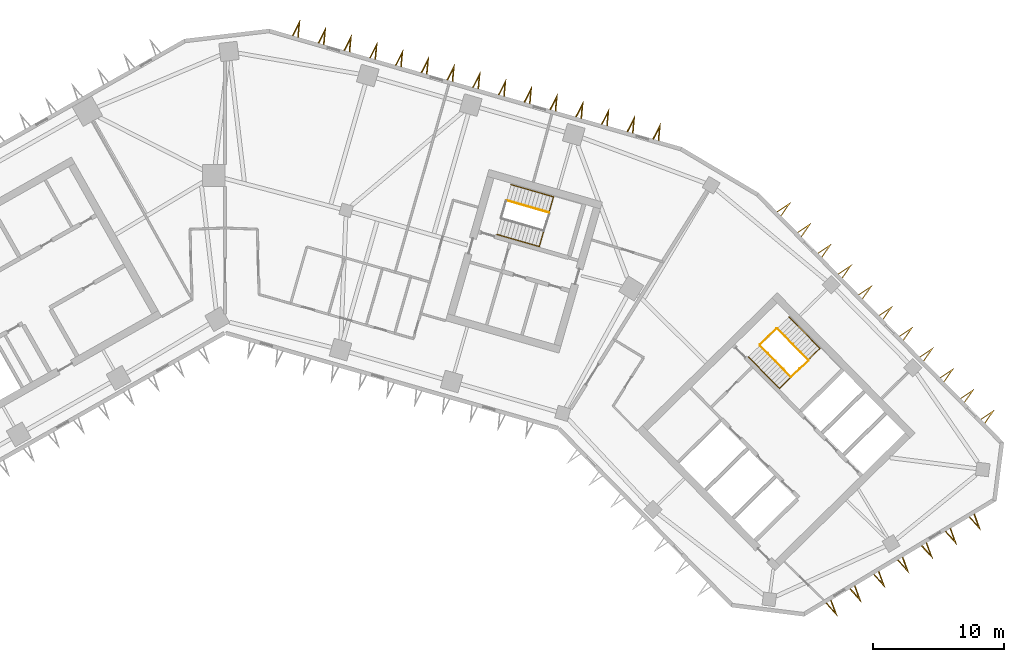
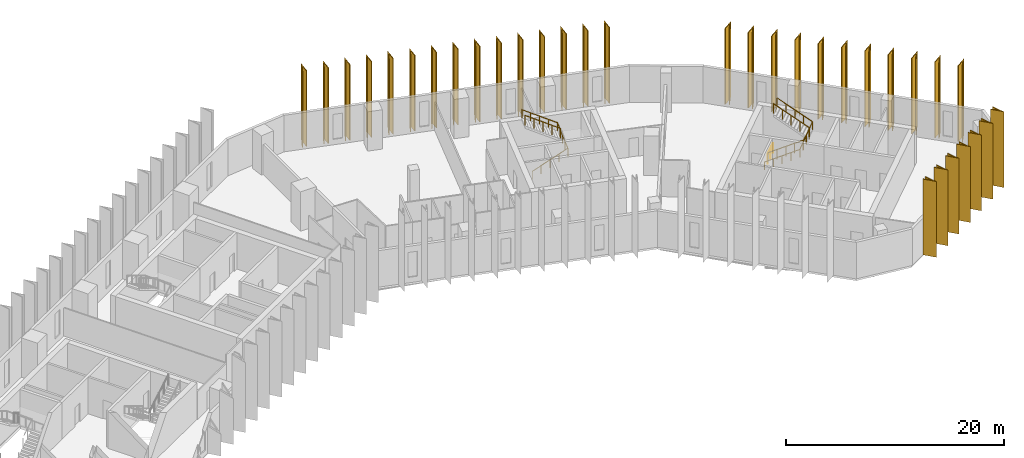
# One storey, part 11 of 11: 33 shading devices, 6 railings.
"""IFC4 building model written with IfcOpenShell, lengths in metres."""

from ifc_helpers import new_model, si_unit, direction, frame, origin, origin_2d, place, context, subcontext, project, spatial, polyline, circle, outline, extrude, material, type_object, element, save


model = new_model("IFC4")

# Units and contexts
model_context = context("Model", 3, precision=1e-05, world=origin(), true_north=direction((0.0, 1.0)))
body_context = subcontext(model_context, "Body", "Model", "MODEL_VIEW")
ifc_project = project(units=[si_unit("LENGTHUNIT", "METRE"), si_unit("AREAUNIT", "SQUARE_METRE"), si_unit("VOLUMEUNIT", "CUBIC_METRE"), si_unit("PLANEANGLEUNIT", "RADIAN"), si_unit("MASSUNIT", "GRAM", prefix="KILO")], contexts=[model_context])

# Site, building, storey
site_placement = place(None, origin())
site = spatial("IfcSite", under=ifc_project, at=site_placement, CompositionType="ELEMENT")
building_placement = place(site_placement, origin())
building = spatial("IfcBuilding", under=site, at=building_placement, Name="Binnacle Exchange Tower", CompositionType="ELEMENT")
storey_placement = place(building_placement, frame((0.0, 0.0, 105.89990234375)))
storey = spatial("IfcBuildingStorey", under=building, at=storey_placement, Name="L21", CompositionType="ELEMENT", Elevation=105.89990234375)

# Railings
ifc_material_1 = material(Name="Steel guard rail", Category="steel")
railing_type_1 = type_object("IfcRailingType", Name="STAIR GUARD 1100", PredefinedType="GUARDRAIL", material=ifc_material_1)
railing_1_placement = place(storey_placement, frame((40.822509765625, 47.046875, 0.16943359375)))
element("IfcRailing", 1, at=railing_1_placement, inside=storey, type_object=railing_type_1, Name="L21 STB1 stair guard 1", PredefinedType="GUARDRAIL", context=body_context, shape_type="SweptSolid", body=[
    extrude(circle(Radius=0.02392578125, at=origin_2d()), frame((0.0, 0.0, 1.076171875), z_axis=(0.599850224077, -0.610421915772, 0.51726665601), x_axis=(0.713256128111, 0.700903485305, 0.0)), (0.0, 0.0, 1.0), 3.926025390625),
    extrude(circle(Radius=0.02392578125, at=origin_2d()), frame((2.35498046875, -2.396484375, 3.10693359375), z_axis=(0.732527851538, 0.680737061369, 0.0), x_axis=(-0.680737061369, 0.732527851538, 0.0)), (0.0, 0.0, 1.0), 1.80078125),
    extrude(circle(Radius=0.02099609375, at=origin_2d()), origin(), (0.0, 0.0, 1.0), 1.052001953125),
    extrude(circle(Radius=0.02099609375, at=origin_2d()), frame((0.5888671875, -0.59912109375, 0.5078125)), (0.0, 0.0, 1.0), 1.052001953125),
    extrude(circle(Radius=0.02099609375, at=origin_2d()), frame((1.177490234375, -1.1982421875, 1.015380859375)), (0.0, 0.0, 1.0), 1.052001953125),
    extrude(circle(Radius=0.02099609375, at=origin_2d()), frame((1.76611328125, -1.79736328125, 1.52294921875)), (0.0, 0.0, 1.0), 1.052001953125),
    extrude(circle(Radius=0.02099609375, at=origin_2d()), frame((2.35498046875, -2.396484375, 2.03076171875)), (0.0, 0.0, 1.0), 1.052001953125),
    extrude(circle(Radius=0.02099609375, at=origin_2d()), frame((3.0146484375, -1.78369140625, 2.03076171875)), (0.0, 0.0, 1.0), 1.052001953125),
    extrude(circle(Radius=0.02099609375, at=origin_2d()), frame((3.674072265625, -1.170654296875, 2.03076171875)), (0.0, 0.0, 1.0), 1.052001953125),
])
railing_2_placement = place(storey_placement, frame((44.4970703125, 45.947021484375, 2.369384765625)))
element("IfcRailing", 2, at=railing_2_placement, inside=storey, type_object=railing_type_1, Name="L21 STB1 stair guard 2", PredefinedType="GUARDRAIL", context=body_context, shape_type="SweptSolid", body=[
    extrude(circle(Radius=0.02392578125, at=origin_2d()), frame((0.0, 0.0, 1.076171875), z_axis=(-0.599850224077, 0.610421915772, 0.51726665601), x_axis=(-0.713256128111, -0.700903485305, 0.0)), (0.0, 0.0, 1.0), 3.926025390625),
    extrude(circle(Radius=0.02099609375, at=origin_2d()), origin(), (0.0, 0.0, 1.0), 1.052001953125),
    extrude(circle(Radius=0.02099609375, at=origin_2d()), frame((-0.5888671875, 0.59912109375, 0.5078125)), (0.0, 0.0, 1.0), 1.052001953125),
    extrude(circle(Radius=0.02099609375, at=origin_2d()), frame((-1.177490234375, 1.1982421875, 1.015380859375)), (0.0, 0.0, 1.0), 1.052001953125),
    extrude(circle(Radius=0.02099609375, at=origin_2d()), frame((-1.76611328125, 1.79736328125, 1.52294921875)), (0.0, 0.0, 1.0), 1.052001953125),
    extrude(circle(Radius=0.02099609375, at=origin_2d()), frame((-2.35498046875, 2.396484375, 2.03076171875)), (0.0, 0.0, 1.0), 1.052001953125),
])
railing_3_placement = place(storey_placement, frame((40.8232421875, 47.117431640625, 0.0)))
element("IfcRailing", 3, at=railing_3_placement, inside=storey, type_object=railing_type_1, Name="L21 STB1 stair guard 3", PredefinedType="GUARDRAIL", context=body_context, shape_type="SweptSolid", body=[
    extrude(circle(Radius=0.02392578125, at=origin_2d()), frame((0.0, 0.0, 1.076171875), z_axis=(0.713218950569, 0.700941316052, 0.0), x_axis=(-0.700941316052, 0.713218950569, 0.0)), (0.0, 0.0, 1.0), 1.75),
    extrude(circle(Radius=0.02099609375, at=origin_2d()), origin(), (0.0, 0.0, 1.0), 1.052001953125),
    extrude(circle(Radius=0.02099609375, at=origin_2d()), frame((0.6240234375, 0.61328125, 0.0)), (0.0, 0.0, 1.0), 1.052001953125),
    extrude(circle(Radius=0.02099609375, at=origin_2d()), frame((1.248046875, 1.2265625, 0.0)), (0.0, 0.0, 1.0), 1.052001953125),
])
railing_4_placement = place(storey_placement, frame((24.716064453125, 57.177978515625, 2.369384765625)))
element("IfcRailing", 4, at=railing_4_placement, inside=storey, type_object=railing_type_1, Name="L21 STD1 stair guard 2", PredefinedType="GUARDRAIL", context=body_context, shape_type="SweptSolid", body=[
    extrude(circle(Radius=0.02392578125, at=origin_2d()), frame((0.0, 0.0, 1.076171875), z_axis=(-0.82266146106, 0.235934506256, 0.517264950721), x_axis=(-0.27568068152, -0.961249271436, 0.0)), (0.0, 0.0, 1.0), 3.926025390625),
    extrude(circle(Radius=0.02099609375, at=origin_2d()), origin(), (0.0, 0.0, 1.0), 1.052001953125),
    extrude(circle(Radius=0.02099609375, at=origin_2d()), frame((-0.807373046875, 0.2314453125, 0.5078125)), (0.0, 0.0, 1.0), 1.052001953125),
    extrude(circle(Radius=0.02099609375, at=origin_2d()), frame((-1.61474609375, 0.463134765625, 1.015380859375)), (0.0, 0.0, 1.0), 1.052001953125),
    extrude(circle(Radius=0.02099609375, at=origin_2d()), frame((-2.42236328125, 0.69482421875, 1.52294921875)), (0.0, 0.0, 1.0), 1.052001953125),
    extrude(circle(Radius=0.02099609375, at=origin_2d()), frame((-3.229736328125, 0.92626953125, 2.03076171875)), (0.0, 0.0, 1.0), 1.052001953125),
])
ifc_material_2 = material(Name="Steel handrail", Category="steel")
railing_type_2 = type_object("IfcRailingType", Name="STAIR HANDRAIL 900", PredefinedType="HANDRAIL", material=ifc_material_2)
railing_5_placement = place(storey_placement, frame((39.930908203125, 46.170654296875, 0.16943359375)))
element("IfcRailing", 5, at=railing_5_placement, inside=storey, type_object=railing_type_2, Name="L21 STB1 stair handrail 1", PredefinedType="HANDRAIL", context=body_context, shape_type="SweptSolid", body=[
    extrude(circle(Radius=0.02392578125, at=origin_2d()), frame((0.0, 0.0, 0.8759765625), z_axis=(0.599890032335, -0.610399145579, 0.51724736073), x_axis=(0.713219803244, 0.700940448441, 0.0)), (0.0, 0.0, 1.0), 3.926025390625),
    extrude(circle(Radius=0.02392578125, at=origin_2d()), frame((2.355224609375, -2.396484375, 2.90673828125), z_axis=(0.712714810107, 0.700376341566, 0.038866175905), x_axis=(-0.700905928746, 0.713253726978, 0.0)), (0.0, 0.0, 1.0), 4.35302734375),
    extrude(circle(Radius=0.02392578125, at=origin_2d()), frame((5.457763671875, 0.65234375, 3.07568359375), z_axis=(-0.599827453926, 0.610460928384, 0.517247020709), x_axis=(-0.713291821981, -0.70086716052, 0.0)), (0.0, 0.0, 1.0), 3.926025390625),
    extrude(circle(Radius=0.02099609375, at=origin_2d()), origin(), (0.0, 0.0, 1.0), 0.851806640625),
    extrude(circle(Radius=0.02099609375, at=origin_2d()), frame((0.5888671875, -0.59912109375, 0.5078125)), (0.0, 0.0, 1.0), 0.851806640625),
    extrude(circle(Radius=0.02099609375, at=origin_2d()), frame((1.177734375, -1.1982421875, 1.015380859375)), (0.0, 0.0, 1.0), 0.851806640625),
    extrude(circle(Radius=0.02099609375, at=origin_2d()), frame((1.766357421875, -1.79736328125, 1.52294921875)), (0.0, 0.0, 1.0), 0.851806640625),
    extrude(circle(Radius=0.02099609375, at=origin_2d()), frame((2.355224609375, -2.396484375, 2.03076171875)), (0.0, 0.0, 1.0), 0.851806640625),
    extrude(circle(Radius=0.02099609375, at=origin_2d()), frame((3.130859375, -1.63427734375, 2.072998046875)), (0.0, 0.0, 1.0), 0.851806640625),
    extrude(circle(Radius=0.02099609375, at=origin_2d()), frame((3.906494140625, -0.8720703125, 2.115234375)), (0.0, 0.0, 1.0), 0.851806640625),
    extrude(circle(Radius=0.02099609375, at=origin_2d()), frame((4.68212890625, -0.10986328125, 2.15771484375)), (0.0, 0.0, 1.0), 0.851806640625),
    extrude(circle(Radius=0.02099609375, at=origin_2d()), frame((5.457763671875, 0.65234375, 2.199951171875)), (0.0, 0.0, 1.0), 0.851806640625),
    extrude(circle(Radius=0.02099609375, at=origin_2d()), frame((4.869140625, 1.25146484375, 2.70751953125)), (0.0, 0.0, 1.0), 0.851806640625),
    extrude(circle(Radius=0.02099609375, at=origin_2d()), frame((4.2802734375, 1.8505859375, 3.21533203125)), (0.0, 0.0, 1.0), 0.851806640625),
    extrude(circle(Radius=0.02099609375, at=origin_2d()), frame((3.69140625, 2.449951171875, 3.72314453125)), (0.0, 0.0, 1.0), 0.851806640625),
    extrude(circle(Radius=0.02099609375, at=origin_2d()), frame((3.102783203125, 3.049072265625, 4.230712890625)), (0.0, 0.0, 1.0), 0.851806640625),
])
railing_6_placement = place(storey_placement, frame((20.7421875, 55.5087890625, 0.16943359375)))
element("IfcRailing", 6, at=railing_6_placement, inside=storey, type_object=railing_type_2, Name="L21 STD1 stair handrail 1", PredefinedType="HANDRAIL", context=body_context, shape_type="SweptSolid", body=[
    extrude(circle(Radius=0.02392578125, at=origin_2d()), frame((0.0, 0.0, 0.8759765625), z_axis=(0.82266146106, -0.235934506256, 0.517264950721), x_axis=(0.27568068152, 0.961249271436, 0.0)), (0.0, 0.0, 1.0), 3.926025390625),
    extrude(circle(Radius=0.02392578125, at=origin_2d()), frame((3.229736328125, -0.92626953125, 2.90673828125), z_axis=(0.275399082883, 0.960377115711, 0.042791830591), x_axis=(-0.961257617982, 0.275651576943, 0.0)), (0.0, 0.0, 1.0), 3.953857421875),
    extrude(circle(Radius=0.02392578125, at=origin_2d()), frame((4.318603515625, 2.870849609375, 3.07568359375), z_axis=(-0.822693627572, 0.235863713483, 0.517246076655), x_axis=(-0.275594289407, -0.961274043989, 0.0)), (0.0, 0.0, 1.0), 3.926025390625),
    extrude(circle(Radius=0.02099609375, at=origin_2d()), origin(), (0.0, 0.0, 1.0), 0.851806640625),
    extrude(circle(Radius=0.02099609375, at=origin_2d()), frame((0.807373046875, -0.2314453125, 0.5078125)), (0.0, 0.0, 1.0), 0.851806640625),
    extrude(circle(Radius=0.02099609375, at=origin_2d()), frame((1.61474609375, -0.463134765625, 1.015380859375)), (0.0, 0.0, 1.0), 0.851806640625),
    extrude(circle(Radius=0.02099609375, at=origin_2d()), frame((2.42236328125, -0.69482421875, 1.52294921875)), (0.0, 0.0, 1.0), 0.851806640625),
    extrude(circle(Radius=0.02099609375, at=origin_2d()), frame((3.229736328125, -0.92626953125, 2.03076171875)), (0.0, 0.0, 1.0), 0.851806640625),
    extrude(circle(Radius=0.02099609375, at=origin_2d()), frame((3.501953125, 0.02294921875, 2.072998046875)), (0.0, 0.0, 1.0), 0.851806640625),
    extrude(circle(Radius=0.02099609375, at=origin_2d()), frame((3.774169921875, 0.97216796875, 2.115234375)), (0.0, 0.0, 1.0), 0.851806640625),
    extrude(circle(Radius=0.02099609375, at=origin_2d()), frame((4.04638671875, 1.921630859375, 2.15771484375)), (0.0, 0.0, 1.0), 0.851806640625),
    extrude(circle(Radius=0.02099609375, at=origin_2d()), frame((4.318603515625, 2.870849609375, 2.199951171875)), (0.0, 0.0, 1.0), 0.851806640625),
    extrude(circle(Radius=0.02099609375, at=origin_2d()), frame((3.51123046875, 3.102294921875, 2.70751953125)), (0.0, 0.0, 1.0), 0.851806640625),
    extrude(circle(Radius=0.02099609375, at=origin_2d()), frame((2.70361328125, 3.333984375, 3.21533203125)), (0.0, 0.0, 1.0), 0.851806640625),
    extrude(circle(Radius=0.02099609375, at=origin_2d()), frame((1.89599609375, 3.5654296875, 3.72314453125)), (0.0, 0.0, 1.0), 0.851806640625),
    extrude(circle(Radius=0.02099609375, at=origin_2d()), frame((1.088623046875, 3.796875, 4.230712890625)), (0.0, 0.0, 1.0), 0.851806640625),
])

# Shading devices
ifc_material_3 = material(Name="Bronze aluminium cladding", Category="aluminium")
shading_device_type = type_object("IfcShadingDeviceType", Name="V FIN 1300 DEEP x 8480 HIGH", PredefinedType="USERDEFINED", material=ifc_material_3)
shading_device_1_placement = place(storey_placement, origin())
element("IfcShadingDevice", 7, at=shading_device_1_placement, inside=storey, type_object=shading_device_type, Name="V fin FN-F01-01 L21", ObjectType="FIN", PredefinedType="USERDEFINED", context=body_context, shape_type="SweptSolid", body=[
    extrude(outline(polyline([(33.107421875, 62.66259765625), (33.225341796875, 63.981201171875), (32.626708984375, 62.800537109375), (32.705078125, 62.778076171875), (33.108642578125, 63.573974609375), (33.029052734375, 62.68505859375), (33.107421875, 62.66259765625)])), origin(), (0.0, 0.0, 1.0), 8.47998046875),
])
shading_device_2_placement = place(storey_placement, origin())
element("IfcShadingDevice", 8, at=shading_device_2_placement, inside=storey, type_object=shading_device_type, Name="V fin FN-F01-02 L21", ObjectType="FIN", PredefinedType="USERDEFINED", context=body_context, shape_type="SweptSolid", body=[
    extrude(outline(polyline([(31.143310546875, 63.225830078125), (31.26123046875, 64.54443359375), (30.66259765625, 63.36376953125), (30.740966796875, 63.34130859375), (31.14453125, 64.13720703125), (31.06494140625, 63.248291015625), (31.143310546875, 63.225830078125)])), origin(), (0.0, 0.0, 1.0), 8.47998046875),
])
shading_device_3_placement = place(storey_placement, origin())
element("IfcShadingDevice", 9, at=shading_device_3_placement, inside=storey, type_object=shading_device_type, Name="V fin FN-F01-03 L21", ObjectType="FIN", PredefinedType="USERDEFINED", context=body_context, shape_type="SweptSolid", body=[
    extrude(outline(polyline([(29.17919921875, 63.7890625), (29.297119140625, 65.107666015625), (28.698486328125, 63.927001953125), (28.77685546875, 63.904541015625), (29.180419921875, 64.700439453125), (29.100830078125, 63.8115234375), (29.17919921875, 63.7890625)])), origin(), (0.0, 0.0, 1.0), 8.47998046875),
])
shading_device_4_placement = place(storey_placement, origin())
element("IfcShadingDevice", 10, at=shading_device_4_placement, inside=storey, type_object=shading_device_type, Name="V fin FN-F01-04 L21", ObjectType="FIN", PredefinedType="USERDEFINED", context=body_context, shape_type="SweptSolid", body=[
    extrude(outline(polyline([(27.215087890625, 64.352294921875), (27.3330078125, 65.6708984375), (26.734619140625, 64.489990234375), (26.812744140625, 64.4677734375), (27.21630859375, 65.263671875), (27.13671875, 64.374755859375), (27.215087890625, 64.352294921875)])), origin(), (0.0, 0.0, 1.0), 8.47998046875),
])
shading_device_5_placement = place(storey_placement, origin())
element("IfcShadingDevice", 11, at=shading_device_5_placement, inside=storey, type_object=shading_device_type, Name="V fin FN-F01-05 L21", ObjectType="FIN", PredefinedType="USERDEFINED", context=body_context, shape_type="SweptSolid", body=[
    extrude(outline(polyline([(25.2509765625, 64.91552734375), (25.368896484375, 66.23388671875), (24.7705078125, 65.05322265625), (24.8486328125, 65.031005859375), (25.252197265625, 65.826904296875), (25.172607421875, 64.93798828125), (25.2509765625, 64.91552734375)])), origin(), (0.0, 0.0, 1.0), 8.47998046875),
])
shading_device_6_placement = place(storey_placement, origin())
element("IfcShadingDevice", 12, at=shading_device_6_placement, inside=storey, type_object=shading_device_type, Name="V fin FN-F01-06 L21", ObjectType="FIN", PredefinedType="USERDEFINED", context=body_context, shape_type="SweptSolid", body=[
    extrude(outline(polyline([(23.287109375, 65.478515625), (23.405029296875, 66.797119140625), (22.806396484375, 65.616455078125), (22.884765625, 65.593994140625), (23.288330078125, 66.389892578125), (23.208740234375, 65.5009765625), (23.287109375, 65.478515625)])), origin(), (0.0, 0.0, 1.0), 8.47998046875),
])
shading_device_7_placement = place(storey_placement, origin())
element("IfcShadingDevice", 13, at=shading_device_7_placement, inside=storey, type_object=shading_device_type, Name="V fin FN-F01-07 L21", ObjectType="FIN", PredefinedType="USERDEFINED", context=body_context, shape_type="SweptSolid", body=[
    extrude(outline(polyline([(21.32275390625, 66.041748046875), (21.44091796875, 67.3603515625), (20.84228515625, 66.1796875), (20.92041015625, 66.1572265625), (21.32421875, 66.953125), (21.244384765625, 66.064208984375), (21.32275390625, 66.041748046875)])), origin(), (0.0, 0.0, 1.0), 8.47998046875),
])
shading_device_8_placement = place(storey_placement, origin())
element("IfcShadingDevice", 14, at=shading_device_8_placement, inside=storey, type_object=shading_device_type, Name="V fin FN-F01-08 L21", ObjectType="FIN", PredefinedType="USERDEFINED", context=body_context, shape_type="SweptSolid", body=[
    extrude(outline(polyline([(19.35888671875, 66.60498046875), (19.476806640625, 67.923583984375), (18.878173828125, 66.742919921875), (18.95654296875, 66.720458984375), (19.360107421875, 67.516357421875), (19.280517578125, 66.62744140625), (19.35888671875, 66.60498046875)])), origin(), (0.0, 0.0, 1.0), 8.47998046875),
])
shading_device_9_placement = place(storey_placement, origin())
element("IfcShadingDevice", 15, at=shading_device_9_placement, inside=storey, type_object=shading_device_type, Name="V fin FN-F01-09 L21", ObjectType="FIN", PredefinedType="USERDEFINED", context=body_context, shape_type="SweptSolid", body=[
    extrude(outline(polyline([(17.394775390625, 67.168212890625), (17.5126953125, 68.48681640625), (16.9140625, 67.305908203125), (16.992431640625, 67.28369140625), (17.39599609375, 68.07958984375), (17.31640625, 67.190673828125), (17.394775390625, 67.168212890625)])), origin(), (0.0, 0.0, 1.0), 8.47998046875),
])
shading_device_10_placement = place(storey_placement, origin())
element("IfcShadingDevice", 16, at=shading_device_10_placement, inside=storey, type_object=shading_device_type, Name="V fin FN-F01-10 L21", ObjectType="FIN", PredefinedType="USERDEFINED", context=body_context, shape_type="SweptSolid", body=[
    extrude(outline(polyline([(15.4306640625, 67.7314453125), (15.548583984375, 69.0498046875), (14.949951171875, 67.869140625), (15.0283203125, 67.8466796875), (15.431884765625, 68.642578125), (15.352294921875, 67.75390625), (15.4306640625, 67.7314453125)])), origin(), (0.0, 0.0, 1.0), 8.47998046875),
])
shading_device_11_placement = place(storey_placement, origin())
element("IfcShadingDevice", 17, at=shading_device_11_placement, inside=storey, type_object=shading_device_type, Name="V fin FN-F01-11 L21", ObjectType="FIN", PredefinedType="USERDEFINED", context=body_context, shape_type="SweptSolid", body=[
    extrude(outline(polyline([(13.466552734375, 68.294677734375), (13.58447265625, 69.613037109375), (12.98583984375, 68.432373046875), (13.064208984375, 68.409912109375), (13.4677734375, 69.205810546875), (13.38818359375, 68.31689453125), (13.466552734375, 68.294677734375)])), origin(), (0.0, 0.0, 1.0), 8.47998046875),
])
shading_device_12_placement = place(storey_placement, origin())
element("IfcShadingDevice", 18, at=shading_device_12_placement, inside=storey, type_object=shading_device_type, Name="V fin FN-F01-12 L21", ObjectType="FIN", PredefinedType="USERDEFINED", context=body_context, shape_type="SweptSolid", body=[
    extrude(outline(polyline([(11.50244140625, 68.85791015625), (11.620361328125, 70.17626953125), (11.021728515625, 68.99560546875), (11.10009765625, 68.97314453125), (11.503662109375, 69.76904296875), (11.424072265625, 68.880126953125), (11.50244140625, 68.85791015625)])), origin(), (0.0, 0.0, 1.0), 8.47998046875),
])
shading_device_13_placement = place(storey_placement, origin())
element("IfcShadingDevice", 19, at=shading_device_13_placement, inside=storey, type_object=shading_device_type, Name="V fin FN-F01-13 L21", ObjectType="FIN", PredefinedType="USERDEFINED", context=body_context, shape_type="SweptSolid", body=[
    extrude(outline(polyline([(9.538330078125, 69.4208984375), (9.65625, 70.739501953125), (9.0576171875, 69.558837890625), (9.135986328125, 69.536376953125), (9.53955078125, 70.332275390625), (9.4599609375, 69.443359375), (9.538330078125, 69.4208984375)])), origin(), (0.0, 0.0, 1.0), 8.47998046875),
])
shading_device_14_placement = place(storey_placement, origin())
element("IfcShadingDevice", 20, at=shading_device_14_placement, inside=storey, type_object=shading_device_type, Name="V fin FN-F01-14 L21", ObjectType="FIN", PredefinedType="USERDEFINED", context=body_context, shape_type="SweptSolid", body=[
    extrude(outline(polyline([(7.57421875, 69.984130859375), (7.6923828125, 71.302734375), (7.09375, 70.1220703125), (7.172119140625, 70.099609375), (7.57568359375, 70.8955078125), (7.49609375, 70.006591796875), (7.57421875, 69.984130859375)])), origin(), (0.0, 0.0, 1.0), 8.47998046875),
])
shading_device_15_placement = place(storey_placement, origin())
element("IfcShadingDevice", 21, at=shading_device_15_placement, inside=storey, type_object=shading_device_type, Name="V fin FN-F01-15 L21", ObjectType="FIN", PredefinedType="USERDEFINED", context=body_context, shape_type="SweptSolid", body=[
    extrude(outline(polyline([(5.610107421875, 70.54736328125), (5.72802734375, 71.865966796875), (5.12939453125, 70.685302734375), (5.207763671875, 70.662841796875), (5.611328125, 71.458740234375), (5.53173828125, 70.56982421875), (5.610107421875, 70.54736328125)])), origin(), (0.0, 0.0, 1.0), 8.47998046875),
])
shading_device_16_placement = place(storey_placement, origin())
element("IfcShadingDevice", 22, at=shading_device_16_placement, inside=storey, type_object=shading_device_type, Name="V fin FN-F11-01 L21", ObjectType="FIN", PredefinedType="USERDEFINED", context=body_context, shape_type="SweptSolid", body=[
    extrude(outline(polyline([(45.82861328125, 27.361572265625), (46.71240234375, 26.376220703125), (46.257080078125, 27.619140625), (46.187255859375, 27.5771484375), (46.494140625, 26.7392578125), (45.898193359375, 27.403564453125), (45.82861328125, 27.361572265625)])), origin(), (0.0, 0.0, 1.0), 8.47998046875),
])
shading_device_17_placement = place(storey_placement, origin())
element("IfcShadingDevice", 23, at=shading_device_17_placement, inside=storey, type_object=shading_device_type, Name="V fin FN-F11-02 L21", ObjectType="FIN", PredefinedType="USERDEFINED", context=body_context, shape_type="SweptSolid", body=[
    extrude(outline(polyline([(47.64990234375, 28.4560546875), (48.53369140625, 27.470458984375), (48.07861328125, 28.713623046875), (48.0087890625, 28.671630859375), (48.315673828125, 27.83349609375), (47.7197265625, 28.498046875), (47.64990234375, 28.4560546875)])), origin(), (0.0, 0.0, 1.0), 8.47998046875),
])
shading_device_18_placement = place(storey_placement, origin())
element("IfcShadingDevice", 24, at=shading_device_18_placement, inside=storey, type_object=shading_device_type, Name="V fin FN-F11-03 L21", ObjectType="FIN", PredefinedType="USERDEFINED", context=body_context, shape_type="SweptSolid", body=[
    extrude(outline(polyline([(49.471435546875, 29.550537109375), (50.355224609375, 28.56494140625), (49.900146484375, 29.80810546875), (49.830322265625, 29.76611328125), (50.13720703125, 28.927978515625), (49.541259765625, 29.592529296875), (49.471435546875, 29.550537109375)])), origin(), (0.0, 0.0, 1.0), 8.47998046875),
])
shading_device_19_placement = place(storey_placement, origin())
element("IfcShadingDevice", 25, at=shading_device_19_placement, inside=storey, type_object=shading_device_type, Name="V fin FN-F11-04 L21", ObjectType="FIN", PredefinedType="USERDEFINED", context=body_context, shape_type="SweptSolid", body=[
    extrude(outline(polyline([(51.29296875, 30.64501953125), (52.1767578125, 29.659423828125), (51.7216796875, 30.902587890625), (51.65185546875, 30.860595703125), (51.958740234375, 30.0224609375), (51.36279296875, 30.68701171875), (51.29296875, 30.64501953125)])), origin(), (0.0, 0.0, 1.0), 8.47998046875),
])
shading_device_20_placement = place(storey_placement, origin())
element("IfcShadingDevice", 26, at=shading_device_20_placement, inside=storey, type_object=shading_device_type, Name="V fin FN-F11-05 L21", ObjectType="FIN", PredefinedType="USERDEFINED", context=body_context, shape_type="SweptSolid", body=[
    extrude(outline(polyline([(53.114501953125, 31.739501953125), (53.998291015625, 30.75390625), (53.543212890625, 31.9970703125), (53.473388671875, 31.955078125), (53.7802734375, 31.116943359375), (53.184326171875, 31.781494140625), (53.114501953125, 31.739501953125)])), origin(), (0.0, 0.0, 1.0), 8.47998046875),
])
shading_device_21_placement = place(storey_placement, origin())
element("IfcShadingDevice", 27, at=shading_device_21_placement, inside=storey, type_object=shading_device_type, Name="V fin FN-F11-06 L21", ObjectType="FIN", PredefinedType="USERDEFINED", context=body_context, shape_type="SweptSolid", body=[
    extrude(outline(polyline([(54.935791015625, 32.833984375), (55.819580078125, 31.848388671875), (55.364501953125, 33.091552734375), (55.294677734375, 33.049560546875), (55.6015625, 32.21142578125), (55.005615234375, 32.8759765625), (54.935791015625, 32.833984375)])), origin(), (0.0, 0.0, 1.0), 8.47998046875),
])
shading_device_22_placement = place(storey_placement, origin())
element("IfcShadingDevice", 28, at=shading_device_22_placement, inside=storey, type_object=shading_device_type, Name="V fin FN-F11-07 L21", ObjectType="FIN", PredefinedType="USERDEFINED", context=body_context, shape_type="SweptSolid", body=[
    extrude(outline(polyline([(56.75732421875, 33.92822265625), (57.64111328125, 32.94287109375), (57.18603515625, 34.185791015625), (57.1162109375, 34.143798828125), (57.423095703125, 33.305908203125), (56.8271484375, 33.97021484375), (56.75732421875, 33.92822265625)])), origin(), (0.0, 0.0, 1.0), 8.47998046875),
])
shading_device_23_placement = place(storey_placement, origin())
element("IfcShadingDevice", 29, at=shading_device_23_placement, inside=storey, type_object=shading_device_type, Name="V fin FN-F13-01 L21", ObjectType="FIN", PredefinedType="USERDEFINED", context=body_context, shape_type="SweptSolid", body=[
    extrude(outline(polyline([(57.990478515625, 41.087890625), (58.742431640625, 42.177490234375), (57.64013671875, 41.444580078125), (57.697265625, 41.386474609375), (58.4404296875, 41.880615234375), (57.933349609375, 41.14599609375), (57.990478515625, 41.087890625)])), origin(), (0.0, 0.0, 1.0), 8.47998046875),
])
shading_device_24_placement = place(storey_placement, origin())
element("IfcShadingDevice", 30, at=shading_device_24_placement, inside=storey, type_object=shading_device_type, Name="V fin FN-F13-02 L21", ObjectType="FIN", PredefinedType="USERDEFINED", context=body_context, shape_type="SweptSolid", body=[
    extrude(outline(polyline([(56.435791015625, 42.669921875), (57.18798828125, 43.759521484375), (56.08544921875, 43.026611328125), (56.142578125, 42.968505859375), (56.8857421875, 43.46240234375), (56.37890625, 42.72802734375), (56.435791015625, 42.669921875)])), origin(), (0.0, 0.0, 1.0), 8.47998046875),
])
shading_device_25_placement = place(storey_placement, origin())
element("IfcShadingDevice", 31, at=shading_device_25_placement, inside=storey, type_object=shading_device_type, Name="V fin FN-F13-03 L21", ObjectType="FIN", PredefinedType="USERDEFINED", context=body_context, shape_type="SweptSolid", body=[
    extrude(outline(polyline([(54.881103515625, 44.251953125), (55.63330078125, 45.34130859375), (54.53076171875, 44.6083984375), (54.587890625, 44.55029296875), (55.3310546875, 45.04443359375), (54.82421875, 44.31005859375), (54.881103515625, 44.251953125)])), origin(), (0.0, 0.0, 1.0), 8.47998046875),
])
shading_device_26_placement = place(storey_placement, origin())
element("IfcShadingDevice", 32, at=shading_device_26_placement, inside=storey, type_object=shading_device_type, Name="V fin FN-F13-04 L21", ObjectType="FIN", PredefinedType="USERDEFINED", context=body_context, shape_type="SweptSolid", body=[
    extrude(outline(polyline([(53.32666015625, 45.833984375), (54.07861328125, 46.92333984375), (52.976318359375, 46.1904296875), (53.033203125, 46.13232421875), (53.776611328125, 46.62646484375), (53.26953125, 45.89208984375), (53.32666015625, 45.833984375)])), origin(), (0.0, 0.0, 1.0), 8.47998046875),
])
shading_device_27_placement = place(storey_placement, origin())
element("IfcShadingDevice", 33, at=shading_device_27_placement, inside=storey, type_object=shading_device_type, Name="V fin FN-F13-05 L21", ObjectType="FIN", PredefinedType="USERDEFINED", context=body_context, shape_type="SweptSolid", body=[
    extrude(outline(polyline([(51.77197265625, 47.416015625), (52.52392578125, 48.50537109375), (51.421630859375, 47.7724609375), (51.478759765625, 47.71435546875), (52.221923828125, 48.20849609375), (51.71484375, 47.47412109375), (51.77197265625, 47.416015625)])), origin(), (0.0, 0.0, 1.0), 8.47998046875),
])
shading_device_28_placement = place(storey_placement, origin())
element("IfcShadingDevice", 34, at=shading_device_28_placement, inside=storey, type_object=shading_device_type, Name="V fin FN-F13-06 L21", ObjectType="FIN", PredefinedType="USERDEFINED", context=body_context, shape_type="SweptSolid", body=[
    extrude(outline(polyline([(50.21728515625, 48.997802734375), (50.969482421875, 50.08740234375), (49.866943359375, 49.3544921875), (49.924072265625, 49.29638671875), (50.667236328125, 49.79052734375), (50.160400390625, 49.055908203125), (50.21728515625, 48.997802734375)])), origin(), (0.0, 0.0, 1.0), 8.47998046875),
])
shading_device_29_placement = place(storey_placement, origin())
element("IfcShadingDevice", 35, at=shading_device_29_placement, inside=storey, type_object=shading_device_type, Name="V fin FN-F13-07 L21", ObjectType="FIN", PredefinedType="USERDEFINED", context=body_context, shape_type="SweptSolid", body=[
    extrude(outline(polyline([(48.66259765625, 50.579833984375), (49.414794921875, 51.66943359375), (48.312255859375, 50.9365234375), (48.369384765625, 50.87841796875), (49.112548828125, 51.37255859375), (48.605712890625, 50.637939453125), (48.66259765625, 50.579833984375)])), origin(), (0.0, 0.0, 1.0), 8.47998046875),
])
shading_device_30_placement = place(storey_placement, origin())
element("IfcShadingDevice", 36, at=shading_device_30_placement, inside=storey, type_object=shading_device_type, Name="V fin FN-F13-08 L21", ObjectType="FIN", PredefinedType="USERDEFINED", context=body_context, shape_type="SweptSolid", body=[
    extrude(outline(polyline([(47.108154296875, 52.161865234375), (47.860107421875, 53.25146484375), (46.7578125, 52.5185546875), (46.814697265625, 52.46044921875), (47.55810546875, 52.95458984375), (47.051025390625, 52.219970703125), (47.108154296875, 52.161865234375)])), origin(), (0.0, 0.0, 1.0), 8.47998046875),
])
shading_device_31_placement = place(storey_placement, origin())
element("IfcShadingDevice", 37, at=shading_device_31_placement, inside=storey, type_object=shading_device_type, Name="V fin FN-F13-09 L21", ObjectType="FIN", PredefinedType="USERDEFINED", context=body_context, shape_type="SweptSolid", body=[
    extrude(outline(polyline([(45.553466796875, 53.743896484375), (46.305419921875, 54.83349609375), (45.203125, 54.1005859375), (45.26025390625, 54.04248046875), (46.00341796875, 54.53662109375), (45.496337890625, 53.802001953125), (45.553466796875, 53.743896484375)])), origin(), (0.0, 0.0, 1.0), 8.47998046875),
])
shading_device_32_placement = place(storey_placement, origin())
element("IfcShadingDevice", 38, at=shading_device_32_placement, inside=storey, type_object=shading_device_type, Name="V fin FN-F13-10 L21", ObjectType="FIN", PredefinedType="USERDEFINED", context=body_context, shape_type="SweptSolid", body=[
    extrude(outline(polyline([(43.998779296875, 55.325927734375), (44.7509765625, 56.415283203125), (43.6484375, 55.6826171875), (43.70556640625, 55.62451171875), (44.44873046875, 56.118408203125), (43.94189453125, 55.384033203125), (43.998779296875, 55.325927734375)])), origin(), (0.0, 0.0, 1.0), 8.47998046875),
])
shading_device_33_placement = place(storey_placement, origin())
element("IfcShadingDevice", 39, at=shading_device_33_placement, inside=storey, type_object=shading_device_type, Name="V fin FN-F13-11 L21", ObjectType="FIN", PredefinedType="USERDEFINED", context=body_context, shape_type="SweptSolid", body=[
    extrude(outline(polyline([(42.444091796875, 56.907958984375), (43.1962890625, 57.997314453125), (42.09375, 57.264404296875), (42.15087890625, 57.206298828125), (42.89404296875, 57.700439453125), (42.38720703125, 56.966064453125), (42.444091796875, 56.907958984375)])), origin(), (0.0, 0.0, 1.0), 8.47998046875),
])

save(model, "model.ifc")
